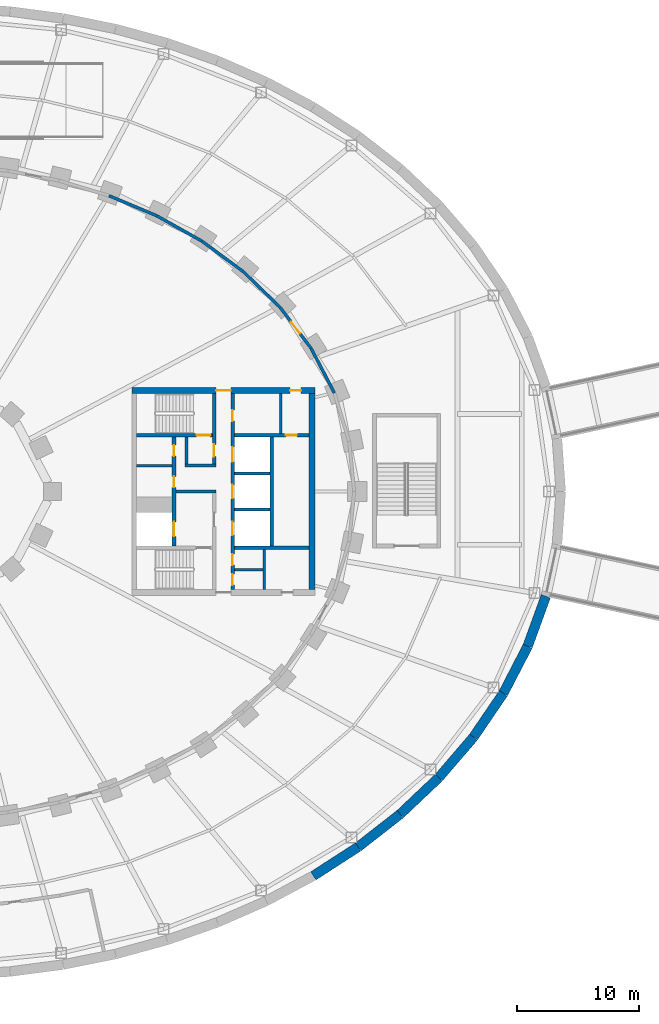
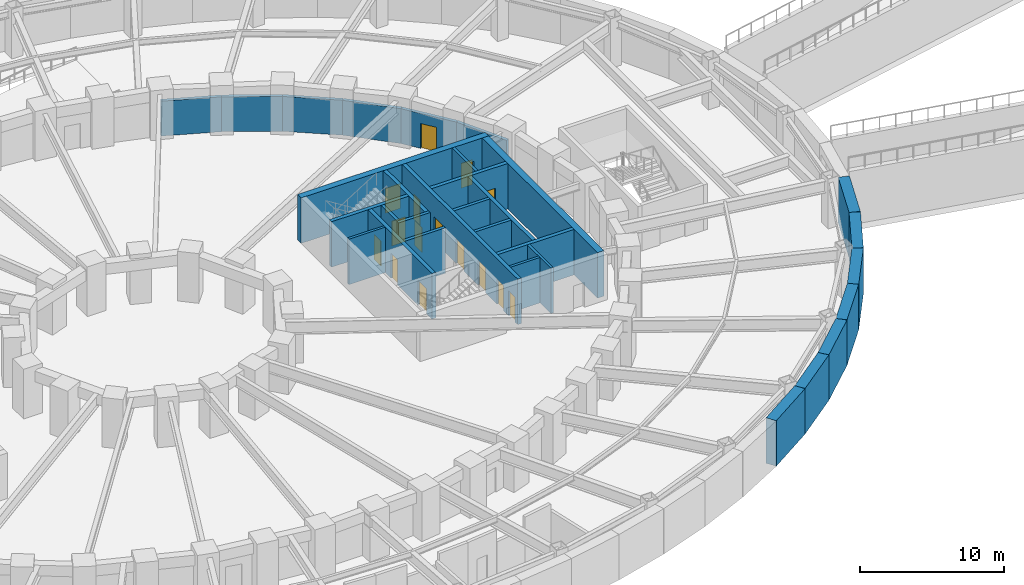
# One storey, part 20 of 32: 31 walls, 15 doors, 15 openings.
"""IFC4 building model written with IfcOpenShell, lengths in metres."""

import ifcopenshell
import ifcopenshell.guid

model = None  # the IFC model being written
_history = None  # IfcOwnerHistory: only IFC2X3 demands one
_inside = {}  # id of a spatial element -> (the spatial element, [elements in it])
_under = {}  # id of a project, library or spatial element -> (it, [spatial elements below it])
_declared = {}  # id of a project -> (the project, [libraries it declares])
_typed = {}  # id of a type object -> (the type object, [elements of that type])
_made_of = {}  # id of a material, layer set ... -> (it, [elements and type objects made of it])


def new_model(schema):
    """Start an empty IFC model of exactly this schema.

    Asked for "IFC4X3", IfcOpenShell would pick the latest addendum, in which some entities
    have other attributes; the version numbers below select the first issue.
    IFC2X3 requires an IfcOwnerHistory on every rooted entity: one is made here for all.
    """
    global model, _history
    if schema == "IFC4X3":
        model = ifcopenshell.file(schema_version=(4, 3, 0, 0))
    else:
        model = ifcopenshell.file(schema=schema)
    _inside.clear()
    _under.clear()
    _declared.clear()
    _typed.clear()
    _made_of.clear()
    _history = None
    if model.schema == "IFC2X3":
        org = make("IfcOrganization", Name="unknown")
        user = make(
            "IfcPersonAndOrganization",
            ThePerson=make("IfcPerson", FamilyName="unknown"),
            TheOrganization=org,
        )
        app = make(
            "IfcApplication",
            ApplicationDeveloper=org,
            Version="unknown",
            ApplicationFullName="unknown",
            ApplicationIdentifier="unknown",
        )
        _history = make(
            "IfcOwnerHistory",
            OwningUser=user,
            OwningApplication=app,
            ChangeAction="ADDED",
            CreationDate=0,
        )
    return model


def make(cls, **values):
    """One entity of the class cls with the attributes given. An attribute that is None is left unset."""
    return model.create_entity(
        cls, **{name: value for name, value in values.items() if value is not None}
    )


def rooted(cls, **values):
    """An entity with a GlobalId (a new one), such as an element, a storey or a relation."""
    return make(cls, GlobalId=ifcopenshell.guid.new(), OwnerHistory=_history, **values)


def si_unit(unit_type, name, prefix=None):
    """IfcSIUnit, for example si_unit("LENGTHUNIT", "METRE", prefix="MILLI")."""
    return make("IfcSIUnit", UnitType=unit_type, Prefix=prefix, Name=name)


def assignment(units):
    """IfcUnitAssignment: the units of a project."""
    return None if units is None else make("IfcUnitAssignment", Units=units)


def point(xyz):
    """IfcCartesianPoint."""
    return None if xyz is None else make("IfcCartesianPoint", Coordinates=xyz)


def direction(xyz):
    """IfcDirection."""
    return None if xyz is None else make("IfcDirection", DirectionRatios=xyz)


def frame(location, z_axis=None, x_axis=None):
    """IfcAxis2Placement3D, a coordinate frame: its origin and axes. An axis left out is left unset."""
    return make(
        "IfcAxis2Placement3D",
        Location=point(location),
        Axis=direction(z_axis),
        RefDirection=direction(x_axis),
    )


def frame_2d(location, x_axis=None):
    """IfcAxis2Placement2D, a coordinate frame in the plane: its origin and x axis."""
    return make(
        "IfcAxis2Placement2D", Location=point(location), RefDirection=direction(x_axis)
    )


def origin():
    """The frame at (0, 0, 0) with its axes left unset."""
    return frame((0.0, 0.0, 0.0))


def place(relative_to, where):
    """IfcLocalPlacement: puts the frame where relative to a parent placement (None: the world)."""
    return make(
        "IfcLocalPlacement", PlacementRelTo=relative_to, RelativePlacement=where
    )


def context(
    kind, dimensions, precision=None, world=None, true_north=None, identifier=None
):
    """IfcGeometricRepresentationContext, for example the 3D "Model" context."""
    return make(
        "IfcGeometricRepresentationContext",
        ContextIdentifier=identifier,
        ContextType=kind,
        CoordinateSpaceDimension=dimensions,
        Precision=precision,
        WorldCoordinateSystem=world,
        TrueNorth=true_north,
    )


def subcontext(parent, identifier, kind, view, scale=None):
    """IfcGeometricRepresentationSubContext, for example "Body" below "Model"."""
    return make(
        "IfcGeometricRepresentationSubContext",
        ContextIdentifier=identifier,
        ContextType=kind,
        ParentContext=parent,
        TargetScale=scale,
        TargetView=view,
    )


def project(units=None, contexts=None):
    """IfcProject with its units and contexts."""
    return rooted(
        "IfcProject",
        Name="project",
        RepresentationContexts=contexts,
        UnitsInContext=assignment(units),
    )


def spatial(cls, under=None, at=None, **own):
    """A site, building, storey or space (cls), placed at a placement, below another one or the project."""
    s = rooted(cls, ObjectPlacement=at, **own)
    if under is not None:
        _under.setdefault(under.id(), (under, []))[1].append(s)
    return s


def profile(cls, at=None, kind="AREA", **sizes):
    """A parametric profile (cls). Its sizes go by their IFC names, for example OverallWidth=200.0."""
    return make(cls, ProfileType=kind, Position=at, **sizes)


def rectangle(**sizes):
    """IfcRectangleProfileDef."""
    return profile("IfcRectangleProfileDef", **sizes)


def extrude(swept, where, along, depth):
    """IfcExtrudedAreaSolid: the profile swept, set in the frame where, extruded along a direction by depth."""
    return make(
        "IfcExtrudedAreaSolid",
        SweptArea=swept,
        Position=where,
        ExtrudedDirection=direction(along),
        Depth=depth,
    )


def shape(context_of_items, identifier, shape_type, items):
    """IfcShapeRepresentation: the items that make up one representation, for example the "Body"."""
    return make(
        "IfcShapeRepresentation",
        ContextOfItems=context_of_items,
        RepresentationIdentifier=identifier,
        RepresentationType=shape_type,
        Items=items,
    )


def material(Name=None, Category=None):
    """IfcMaterial."""
    return make("IfcMaterial", Name=Name, Category=Category)


def layer(
    of_material, thickness, ventilated=None, Name=None, Category=None, Priority=None
):
    """IfcMaterialLayer: one layer of a wall or slab, of a material (None: an air gap)."""
    return make(
        "IfcMaterialLayer",
        Material=of_material,
        LayerThickness=thickness,
        IsVentilated=ventilated,
        Name=Name,
        Category=Category,
        Priority=Priority,
    )


def layer_set(layers, Name=None):
    """IfcMaterialLayerSet."""
    return make("IfcMaterialLayerSet", MaterialLayers=layers, LayerSetName=Name)


def made_of(thing, what):
    """Note that an element or type object is made of a material, layer set ...; save() writes the relation."""
    if what is not None:
        _made_of.setdefault(what.id(), (what, []))[1].append(thing)
    return thing


def type_object(cls, material=None, **own):
    """A type object (cls), such as IfcWallType, which elements share."""
    return made_of(rooted(cls, **own), material)


def element(
    cls,
    number,
    at=None,
    inside=None,
    cuts=None,
    type_object=None,
    material=None,
    context=None,
    identifier="Body",
    shape_type=None,
    held_by="IfcProductDefinitionShape",
    body=None,
    shapes=None,
    **own,
):
    """One element of the class cls, such as IfcWall. Its Tag is "e" and its number.

    at: its placement. inside: the storey or other place that contains it. cuts: it is an
    opening in that element (IfcRelVoidsElement). A single representation is given by context,
    identifier, shape_type and body (its items); several are given by shapes. held_by: the class
    of the entity that holds the representations. save() writes the other relations.
    """
    e = rooted(cls, Tag="e%d" % number, ObjectPlacement=at, **own)
    if body is not None:
        shapes = [shape(context, identifier, shape_type, body)]
    if shapes is not None:
        e.Representation = make(held_by, Representations=shapes)
    if inside is not None:
        _inside.setdefault(inside.id(), (inside, []))[1].append(e)
    if cuts is not None:
        rooted(
            "IfcRelVoidsElement", RelatingBuildingElement=cuts, RelatedOpeningElement=e
        )
    if type_object is not None:
        _typed.setdefault(type_object.id(), (type_object, []))[1].append(e)
    return made_of(e, material)


def fill(opening, filler):
    """IfcRelFillsElement: the door or window that sits in an opening."""
    return rooted(
        "IfcRelFillsElement",
        RelatingOpeningElement=opening,
        RelatedBuildingElement=filler,
    )


def aggregate(whole, parts):
    """IfcRelAggregates: a whole, such as a stair, and the parts it consists of."""
    return rooted("IfcRelAggregates", RelatingObject=whole, RelatedObjects=parts)


def save(model, path):
    """Write the relations noted so far, then the file.

    IfcRelAggregates (storeys below a building ...), IfcRelContainedInSpatialStructure (elements
    in a storey), IfcRelDefinesByType, IfcRelAssociatesMaterial and IfcRelDeclares: one each for
    every whole, place, type object, material and project.
    """
    for whole, parts in _under.values():
        aggregate(whole, parts)
    for where, things in _inside.values():
        rooted(
            "IfcRelContainedInSpatialStructure",
            RelatedElements=things,
            RelatingStructure=where,
        )
    for kind, things in _typed.values():
        rooted("IfcRelDefinesByType", RelatedObjects=things, RelatingType=kind)
    for what, things in _made_of.values():
        rooted("IfcRelAssociatesMaterial", RelatedObjects=things, RelatingMaterial=what)
    for by, libraries in _declared.values():
        rooted("IfcRelDeclares", RelatingContext=by, RelatedDefinitions=libraries)
    model.write(path)


model = new_model("IFC4")

# Units and contexts
model_context = context("Model", 3, precision=1e-05, world=origin(), true_north=direction((0.0, 1.0)))
body_context = subcontext(model_context, "Body", "Model", "MODEL_VIEW")
ifc_project = project(units=[si_unit("LENGTHUNIT", "METRE"), si_unit("AREAUNIT", "SQUARE_METRE"), si_unit("VOLUMEUNIT", "CUBIC_METRE"), si_unit("PLANEANGLEUNIT", "RADIAN"), si_unit("MASSUNIT", "GRAM", prefix="KILO")], contexts=[model_context])

# Site, building, storey
site_placement = place(None, origin())
site = spatial("IfcSite", under=ifc_project, at=site_placement, CompositionType="ELEMENT")
building_placement = place(site_placement, origin())
building = spatial("IfcBuilding", under=site, at=building_placement, Name="Noorbagh Ring Tower", CompositionType="ELEMENT")
storey_placement = place(building_placement, frame((0.0, 0.0, -4.199951171875)))
storey = spatial("IfcBuildingStorey", under=building, at=storey_placement, Name="B1", CompositionType="ELEMENT", Elevation=-4.199951171875)

# Walls
ifc_material_1 = material(Name="Gypsum board on steel studs", Category="steel")
ifc_layer_1 = layer(ifc_material_1, 0.199951171875)
ifc_layer_set_1 = layer_set([ifc_layer_1], Name="Gypsum board on steel studs")
wall_type_1 = type_object("IfcWallType", Name="CORE-PARTITION-200", PredefinedType="PARTITIONING", material=ifc_layer_set_1)
wall_1_placement = place(storey_placement, frame((16.89990234375, 2.125, 0.0), z_axis=(0.0, 0.0, 1.0), x_axis=(1.0, 0.0, 0.0)))
element("IfcWall", 1, at=wall_1_placement, inside=storey, type_object=wall_type_1, Name="Core partition E", PredefinedType="PARTITIONING", context=body_context, shape_type="SweptSolid", body=[
    extrude(rectangle(XDim=2.900146484375, YDim=0.199951171875, at=frame_2d((1.4501953125, 0.0))), origin(), (0.0, 0.0, 1.0), 3.849853515625),
])
for number, where, z_axis, x_axis, name in (
    (2, (28.699951171875, 4.75, 0.0), (0.0, 0.0, 1.0), (0.0, 1.0, 0.0), "Core partition E"),
    (3, (27.35009765625, -8.0, 0.0), (0.0, 0.0, 1.0), (0.0, 1.0, 0.0), "Core partition E"),
):
    element("IfcWall", number, at=place(storey_placement, frame(where, z_axis=z_axis, x_axis=x_axis)), inside=storey, type_object=wall_type_1, Name=name, PredefinedType="PARTITIONING", context=body_context, shape_type="SweptSolid", body=[
        extrude(rectangle(XDim=3.25, YDim=0.199951171875, at=frame_2d((1.625, 0.0))), origin(), (0.0, 0.0, 1.0), 3.849853515625),
    ])
wall_2_placement = place(storey_placement, frame((24.89990234375, -6.39990234375, 0.0), z_axis=(0.0, 0.0, 1.0), x_axis=(1.0, 0.0, 0.0)))
element("IfcWall", 4, at=wall_2_placement, inside=storey, type_object=wall_type_1, Name="Core partition E", PredefinedType="PARTITIONING", context=body_context, shape_type="SweptSolid", body=[
    extrude(rectangle(XDim=2.35009765625, YDim=0.199951171875, at=frame_2d((1.175048828125, 0.0))), origin(), (0.0, 0.0, 1.0), 3.849853515625),
])
ifc_material_2 = material(Name="Concrete C70/85", Category="concrete")
ifc_layer_2 = layer(ifc_material_2, 0.25)
ifc_layer_set_2 = layer_set([ifc_layer_2], Name="Concrete C70/85")
wall_type_2 = type_object("IfcWallType", Name="CORE-WALL-250-C70-85-EI120", PredefinedType="SHEAR", material=ifc_layer_set_2)
for number, where, z_axis, x_axis, name in (
    (5, (24.89990234375, -1.47509765625, 0.0), (0.0, 0.0, 1.0), (1.0, 0.0, 0.0), "Core wall E"),
    (6, (24.89990234375, 1.47509765625, 0.0), (0.0, 0.0, 1.0), (1.0, 0.0, 0.0), "Core wall E"),
):
    element("IfcWall", number, at=place(storey_placement, frame(where, z_axis=z_axis, x_axis=x_axis)), inside=storey, type_object=wall_type_2, Name=name, PredefinedType="SHEAR", context=body_context, shape_type="SweptSolid", body=[
        extrude(rectangle(XDim=2.900146484375, YDim=0.25, at=frame_2d((1.4501953125, 0.0))), origin(), (0.0, 0.0, 1.0), 3.849853515625),
    ])
ifc_material_3 = material(Name="Concrete C70/85", Category="concrete")
ifc_layer_3 = layer(ifc_material_3, 0.25)
ifc_layer_set_3 = layer_set([ifc_layer_3], Name="Concrete C70/85")
wall_type_3 = type_object("IfcWallType", Name="CORE-WALL-250-C70-85-EI240", PredefinedType="SHEAR", material=ifc_layer_set_3)
wall_3_placement = place(storey_placement, frame((20.10009765625, 0.0, 0.0), z_axis=(0.0, 0.0, 1.0), x_axis=(1.0, 0.0, 0.0)))
element("IfcWall", 7, at=wall_3_placement, inside=storey, type_object=wall_type_3, Name="Core wall E", PredefinedType="SHEAR", context=body_context, shape_type="SweptSolid", body=[
    extrude(rectangle(XDim=3.27978515625, YDim=0.25, at=frame_2d((1.639892578125, 0.0))), origin(), (0.0, 0.0, 1.0), 3.849853515625),
])
wall_4_placement = place(storey_placement, frame((20.85009765625, 2.125, 0.0), z_axis=(0.0, 0.0, 1.0), x_axis=(1.0, 0.0, 0.0)))
element("IfcWall", 8, at=wall_4_placement, inside=storey, type_object=wall_type_3, Name="Core wall E", PredefinedType="SHEAR", context=body_context, shape_type="SweptSolid", body=[
    extrude(rectangle(XDim=2.52978515625, YDim=0.25, at=frame_2d((1.264892578125, 0.0))), origin(), (0.0, 0.0, 1.0), 3.849853515625),
])
wall_5_placement = place(storey_placement, frame((20.97509765625, 2.25, 0.0), z_axis=(0.0, 0.0, 1.0), x_axis=(0.0, 1.0, 0.0)))
element("IfcWall", 9, at=wall_5_placement, inside=storey, type_object=wall_type_3, Name="Core wall E", PredefinedType="SHEAR", context=body_context, shape_type="SweptSolid", body=[
    extrude(rectangle(XDim=2.199951171875, YDim=0.25, at=frame_2d((1.10009765625, 0.0))), origin(), (0.0, 0.0, 1.0), 3.849853515625),
])
ifc_material_4 = material(Name="Concrete C70/85", Category="concrete")
ifc_layer_4 = layer(ifc_material_4, 0.300048828125)
ifc_layer_set_4 = layer_set([ifc_layer_4], Name="Concrete C70/85")
wall_type_4 = type_object("IfcWallType", Name="CORE-WALL-300-C70-85-EI120", PredefinedType="SHEAR", material=ifc_layer_set_4)
wall_6_placement = place(storey_placement, frame((27.949951171875, -4.449951171875, 0.0), z_axis=(0.0, 0.0, 1.0), x_axis=(0.0, 1.0, 0.0)))
element("IfcWall", 10, at=wall_6_placement, inside=storey, type_object=wall_type_4, Name="Core wall E", PredefinedType="SHEAR", context=body_context, shape_type="SweptSolid", body=[
    extrude(rectangle(XDim=8.89990234375, YDim=0.300048828125, at=frame_2d((4.449951171875, 0.0))), origin(), (0.0, 0.0, 1.0), 3.849853515625),
])

# Wall, openings, doors
wall_7_placement = place(storey_placement, frame((19.949951171875, -4.449951171875, 0.0), z_axis=(0.0, 0.0, 1.0), x_axis=(0.0, 1.0, 0.0)))
wall_7 = element("IfcWall", 11, at=wall_7_placement, inside=storey, type_object=wall_type_4, Name="Core wall E", PredefinedType="SHEAR", context=body_context, shape_type="SweptSolid", body=[
    extrude(rectangle(XDim=8.89990234375, YDim=0.300048828125, at=frame_2d((4.449951171875, 0.0))), origin(), (0.0, 0.0, 1.0), 3.849853515625),
])
opening_1_placement = place(wall_7_placement, frame((0.77490234375, 0.0, 0.0)))
opening_1 = element("IfcOpeningElement", 12, at=opening_1_placement, cuts=wall_7, Name="Opening B1-CE01", PredefinedType="OPENING", context=body_context, shape_type="SweptSolid", body=[
    extrude(rectangle(XDim=1.199951171875, YDim=2.10009765625, at=frame_2d((0.60009765625, 1.050048828125))), frame((0.0, 0.16015625, 0.0), z_axis=(0.0, -1.0, 0.0), x_axis=(1.0, 0.0, 0.0)), (0.0, 0.0, 1.0), 0.320068359375),
])
opening_2_placement = place(wall_7_placement, frame((4.78759765625, 0.0, 0.0)))
opening_2 = element("IfcOpeningElement", 13, at=opening_2_placement, cuts=wall_7, Name="Opening B1-CE11", PredefinedType="OPENING", context=body_context, shape_type="SweptSolid", body=[
    extrude(rectangle(XDim=0.89990234375, YDim=2.10009765625, at=frame_2d((0.449951171875, 1.050048828125))), frame((0.0, 0.16015625, 0.0), z_axis=(0.0, -1.0, 0.0), x_axis=(1.0, 0.0, 0.0)), (0.0, 0.0, 1.0), 0.320068359375),
])
opening_3_placement = place(wall_7_placement, frame((7.33740234375, 0.0, 0.0)))
opening_3 = element("IfcOpeningElement", 14, at=opening_3_placement, cuts=wall_7, Name="Opening B1-CE12", PredefinedType="OPENING", context=body_context, shape_type="SweptSolid", body=[
    extrude(rectangle(XDim=0.89990234375, YDim=2.10009765625, at=frame_2d((0.449951171875, 1.050048828125))), frame((0.0, 0.16015625, 0.0), z_axis=(0.0, -1.0, 0.0), x_axis=(1.0, 0.0, 0.0)), (0.0, 0.0, 1.0), 0.320068359375),
])
ifc_material_5 = material(Name="Steel door leaf", Category="steel")
door_type_1 = type_object("IfcDoorType", Name="CORE-DOOR-DROOM", OperationType="SINGLE_SWING_LEFT", PredefinedType="DOOR", material=ifc_material_5)
door_1_placement = place(opening_2_placement, origin())
door_1 = element("IfcDoor", 15, at=door_1_placement, inside=storey, type_object=door_type_1, Name="Core room door B1-CE11", OperationType="SINGLE_SWING_RIGHT", OverallHeight=2.10009765625, OverallWidth=0.89990234375, PredefinedType="DOOR", context=body_context, shape_type="SweptSolid", body=[
    extrude(rectangle(XDim=0.89990234375, YDim=2.10009765625, at=frame_2d((0.449951171875, 1.050048828125))), frame((0.0, 0.02490234375, 0.0), z_axis=(0.0, -1.0, 0.0), x_axis=(1.0, 0.0, 0.0)), (0.0, 0.0, 1.0), 0.050048828125),
])
fill(opening_2, door_1)
door_2_placement = place(opening_3_placement, origin())
door_2 = element("IfcDoor", 16, at=door_2_placement, inside=storey, type_object=door_type_1, Name="Core room door B1-CE12", OperationType="SINGLE_SWING_RIGHT", OverallHeight=2.10009765625, OverallWidth=0.89990234375, PredefinedType="DOOR", context=body_context, shape_type="SweptSolid", body=[
    extrude(rectangle(XDim=0.89990234375, YDim=2.10009765625, at=frame_2d((0.449951171875, 1.050048828125))), frame((0.0, 0.02490234375, 0.0), z_axis=(0.0, -1.0, 0.0), x_axis=(1.0, 0.0, 0.0)), (0.0, 0.0, 1.0), 0.050048828125),
])
fill(opening_3, door_2)
ifc_material_6 = material(Name="Steel door leaf", Category="steel")
door_type_2 = type_object("IfcDoorType", Name="CORE-DOOR-LDW", OperationType="DOUBLE_DOOR_SLIDING", PredefinedType="DOOR", material=ifc_material_6)
door_3_placement = place(opening_1_placement, origin())
door_3 = element("IfcDoor", 17, at=door_3_placement, inside=storey, type_object=door_type_2, Name="Landing door FF2 B1-CE01", OperationType="DOUBLE_DOOR_SLIDING", OverallHeight=2.10009765625, OverallWidth=1.199951171875, PredefinedType="DOOR", context=body_context, shape_type="SweptSolid", body=[
    extrude(rectangle(XDim=1.199951171875, YDim=2.10009765625, at=frame_2d((0.60009765625, 1.050048828125))), frame((0.0, 0.02490234375, 0.0), z_axis=(0.0, -1.0, 0.0), x_axis=(1.0, 0.0, 0.0)), (0.0, 0.0, 1.0), 0.050048828125),
])
fill(opening_1, door_3)

wall_8_placement = place(storey_placement, frame((24.75, -8.0, 0.0), z_axis=(0.0, 0.0, 1.0), x_axis=(0.0, 1.0, 0.0)))
wall_8 = element("IfcWall", 18, at=wall_8_placement, inside=storey, type_object=wall_type_4, Name="Core wall E", PredefinedType="SHEAR", context=body_context, shape_type="SweptSolid", body=[
    extrude(rectangle(XDim=16.0, YDim=0.300048828125, at=frame_2d((8.0, 0.0))), origin(), (0.0, 0.0, 1.0), 3.849853515625),
])
opening_4_placement = place(wall_8_placement, frame((4.425048828125, 0.0, 0.0)))
opening_4 = element("IfcOpeningElement", 19, at=opening_4_placement, cuts=wall_8, Name="Opening B1-CE02", PredefinedType="OPENING", context=body_context, shape_type="SweptSolid", body=[
    extrude(rectangle(XDim=1.10009765625, YDim=2.10009765625, at=frame_2d((0.550048828125, 1.050048828125))), frame((0.0, 0.16015625, 0.0), z_axis=(0.0, -1.0, 0.0), x_axis=(1.0, 0.0, 0.0)), (0.0, 0.0, 1.0), 0.320068359375),
])
opening_5_placement = place(wall_8_placement, frame((7.449951171875, 0.0, 0.0)))
opening_5 = element("IfcOpeningElement", 20, at=opening_5_placement, cuts=wall_8, Name="Opening B1-CE03", PredefinedType="OPENING", context=body_context, shape_type="SweptSolid", body=[
    extrude(rectangle(XDim=1.10009765625, YDim=2.10009765625, at=frame_2d((0.550048828125, 1.050048828125))), frame((0.0, 0.16015625, 0.0), z_axis=(0.0, -1.0, 0.0), x_axis=(1.0, 0.0, 0.0)), (0.0, 0.0, 1.0), 0.320068359375),
])
opening_6_placement = place(wall_8_placement, frame((10.425048828125, 0.0, 0.0)))
opening_6 = element("IfcOpeningElement", 21, at=opening_6_placement, cuts=wall_8, Name="Opening B1-CE04", PredefinedType="OPENING", context=body_context, shape_type="SweptSolid", body=[
    extrude(rectangle(XDim=1.199951171875, YDim=2.10009765625, at=frame_2d((0.60009765625, 1.050048828125))), frame((0.0, 0.16015625, 0.0), z_axis=(0.0, -1.0, 0.0), x_axis=(1.0, 0.0, 0.0)), (0.0, 0.0, 1.0), 0.320068359375),
])
opening_7_placement = place(wall_8_placement, frame((13.75, 0.0, 0.0)))
opening_7 = element("IfcOpeningElement", 22, at=opening_7_placement, cuts=wall_8, Name="Opening B1-CE13", PredefinedType="OPENING", context=body_context, shape_type="SweptSolid", body=[
    extrude(rectangle(XDim=0.89990234375, YDim=2.10009765625, at=frame_2d((0.449951171875, 1.050048828125))), frame((0.0, 0.16015625, 0.0), z_axis=(0.0, -1.0, 0.0), x_axis=(1.0, 0.0, 0.0)), (0.0, 0.0, 1.0), 0.320068359375),
])
opening_8_placement = place(wall_8_placement, frame((1.97509765625, 0.0, 0.0)))
opening_8 = element("IfcOpeningElement", 23, at=opening_8_placement, cuts=wall_8, Name="Opening B1-CE15", PredefinedType="OPENING", context=body_context, shape_type="SweptSolid", body=[
    extrude(rectangle(XDim=0.89990234375, YDim=2.10009765625, at=frame_2d((0.449951171875, 1.050048828125))), frame((0.0, 0.16015625, 0.0), z_axis=(0.0, -1.0, 0.0), x_axis=(1.0, 0.0, 0.0)), (0.0, 0.0, 1.0), 0.320068359375),
])
opening_9_placement = place(wall_8_placement, frame((0.35009765625, 0.0, 0.0)))
opening_9 = element("IfcOpeningElement", 24, at=opening_9_placement, cuts=wall_8, Name="Opening B1-CE16", PredefinedType="OPENING", context=body_context, shape_type="SweptSolid", body=[
    extrude(rectangle(XDim=0.89990234375, YDim=2.10009765625, at=frame_2d((0.449951171875, 1.050048828125))), frame((0.0, 0.16015625, 0.0), z_axis=(0.0, -1.0, 0.0), x_axis=(1.0, 0.0, 0.0)), (0.0, 0.0, 1.0), 0.320068359375),
])
door_4_placement = place(opening_7_placement, origin())
door_4 = element("IfcDoor", 25, at=door_4_placement, inside=storey, type_object=door_type_1, Name="Core room door B1-CE13", OperationType="SINGLE_SWING_LEFT", OverallHeight=2.10009765625, OverallWidth=0.89990234375, PredefinedType="DOOR", context=body_context, shape_type="SweptSolid", body=[
    extrude(rectangle(XDim=0.89990234375, YDim=2.10009765625, at=frame_2d((0.449951171875, 1.050048828125))), frame((0.0, 0.02490234375, 0.0), z_axis=(0.0, -1.0, 0.0), x_axis=(1.0, 0.0, 0.0)), (0.0, 0.0, 1.0), 0.050048828125),
])
fill(opening_7, door_4)
door_5_placement = place(opening_8_placement, origin())
door_5 = element("IfcDoor", 26, at=door_5_placement, inside=storey, type_object=door_type_1, Name="Core room door B1-CE15", OperationType="SINGLE_SWING_LEFT", OverallHeight=2.10009765625, OverallWidth=0.89990234375, PredefinedType="DOOR", context=body_context, shape_type="SweptSolid", body=[
    extrude(rectangle(XDim=0.89990234375, YDim=2.10009765625, at=frame_2d((0.449951171875, 1.050048828125))), frame((0.0, 0.02490234375, 0.0), z_axis=(0.0, -1.0, 0.0), x_axis=(1.0, 0.0, 0.0)), (0.0, 0.0, 1.0), 0.050048828125),
])
fill(opening_8, door_5)
door_6_placement = place(opening_9_placement, origin())
door_6 = element("IfcDoor", 27, at=door_6_placement, inside=storey, type_object=door_type_1, Name="Core room door B1-CE16", OperationType="SINGLE_SWING_RIGHT", OverallHeight=2.10009765625, OverallWidth=0.89990234375, PredefinedType="DOOR", context=body_context, shape_type="SweptSolid", body=[
    extrude(rectangle(XDim=0.89990234375, YDim=2.10009765625, at=frame_2d((0.449951171875, 1.050048828125))), frame((0.0, 0.02490234375, 0.0), z_axis=(0.0, -1.0, 0.0), x_axis=(1.0, 0.0, 0.0)), (0.0, 0.0, 1.0), 0.050048828125),
])
fill(opening_9, door_6)
ifc_material_7 = material(Name="Steel door leaf", Category="steel")
door_type_3 = type_object("IfcDoorType", Name="CORE-DOOR-LD", OperationType="DOUBLE_DOOR_SLIDING", PredefinedType="DOOR", material=ifc_material_7)
door_7_placement = place(opening_4_placement, origin())
door_7 = element("IfcDoor", 28, at=door_7_placement, inside=storey, type_object=door_type_3, Name="Landing door LR3 B1-CE02", OperationType="DOUBLE_DOOR_SLIDING", OverallHeight=2.10009765625, OverallWidth=1.10009765625, PredefinedType="DOOR", context=body_context, shape_type="SweptSolid", body=[
    extrude(rectangle(XDim=1.10009765625, YDim=2.10009765625, at=frame_2d((0.550048828125, 1.050048828125))), frame((0.0, 0.02490234375, 0.0), z_axis=(0.0, -1.0, 0.0), x_axis=(1.0, 0.0, 0.0)), (0.0, 0.0, 1.0), 0.050048828125),
])
fill(opening_4, door_7)
door_8_placement = place(opening_5_placement, origin())
door_8 = element("IfcDoor", 29, at=door_8_placement, inside=storey, type_object=door_type_3, Name="Landing door LR4 B1-CE03", OperationType="DOUBLE_DOOR_SLIDING", OverallHeight=2.10009765625, OverallWidth=1.10009765625, PredefinedType="DOOR", context=body_context, shape_type="SweptSolid", body=[
    extrude(rectangle(XDim=1.10009765625, YDim=2.10009765625, at=frame_2d((0.550048828125, 1.050048828125))), frame((0.0, 0.02490234375, 0.0), z_axis=(0.0, -1.0, 0.0), x_axis=(1.0, 0.0, 0.0)), (0.0, 0.0, 1.0), 0.050048828125),
])
fill(opening_5, door_8)
door_9_placement = place(opening_6_placement, origin())
door_9 = element("IfcDoor", 30, at=door_9_placement, inside=storey, type_object=door_type_2, Name="Landing door SV2 B1-CE04", OperationType="DOUBLE_DOOR_SLIDING", OverallHeight=2.10009765625, OverallWidth=1.199951171875, PredefinedType="DOOR", context=body_context, shape_type="SweptSolid", body=[
    extrude(rectangle(XDim=1.199951171875, YDim=2.10009765625, at=frame_2d((0.60009765625, 1.050048828125))), frame((0.0, 0.02490234375, 0.0), z_axis=(0.0, -1.0, 0.0), x_axis=(1.0, 0.0, 0.0)), (0.0, 0.0, 1.0), 0.050048828125),
])
fill(opening_6, door_9)

# Wall, opening, door
ifc_material_8 = material(Name="Concrete C70/85", Category="concrete")
ifc_layer_5 = layer(ifc_material_8, 0.300048828125)
ifc_layer_set_5 = layer_set([ifc_layer_5], Name="Concrete C70/85")
wall_type_5 = type_object("IfcWallType", Name="CORE-WALL-300-C70-85-EI240", PredefinedType="SHEAR", material=ifc_layer_set_5)
wall_9_placement = place(storey_placement, frame((24.89990234375, 4.60009765625, 0.0), z_axis=(0.0, 0.0, 1.0), x_axis=(1.0, 0.0, 0.0)))
wall_9 = element("IfcWall", 31, at=wall_9_placement, inside=storey, type_object=wall_type_5, Name="Core wall E", PredefinedType="SHEAR", context=body_context, shape_type="SweptSolid", body=[
    extrude(rectangle(XDim=6.10009765625, YDim=0.300048828125, at=frame_2d((3.050048828125, 0.0))), origin(), (0.0, 0.0, 1.0), 3.849853515625),
])
opening_10_placement = place(wall_9_placement, frame((4.199951171875, 0.0, 0.0)))
opening_10 = element("IfcOpeningElement", 32, at=opening_10_placement, cuts=wall_9, Name="Opening B1-CE18", PredefinedType="OPENING", context=body_context, shape_type="SweptSolid", body=[
    extrude(rectangle(XDim=0.89990234375, YDim=2.10009765625, at=frame_2d((0.449951171875, 1.050048828125))), frame((0.0, 0.16015625, 0.0), z_axis=(0.0, -1.0, 0.0), x_axis=(1.0, 0.0, 0.0)), (0.0, 0.0, 1.0), 0.320068359375),
])
door_10_placement = place(opening_10_placement, origin())
door_10 = element("IfcDoor", 33, at=door_10_placement, inside=storey, type_object=door_type_1, Name="Core room door B1-CE18", OperationType="SINGLE_SWING_RIGHT", OverallHeight=2.10009765625, OverallWidth=0.89990234375, PredefinedType="DOOR", context=body_context, shape_type="SweptSolid", body=[
    extrude(rectangle(XDim=0.89990234375, YDim=2.10009765625, at=frame_2d((0.449951171875, 1.050048828125))), frame((0.0, 0.02490234375, 0.0), z_axis=(0.0, -1.0, 0.0), x_axis=(1.0, 0.0, 0.0)), (0.0, 0.0, 1.0), 0.050048828125),
])
fill(opening_10, door_10)

# Wall
wall_10_placement = place(storey_placement, frame((24.89990234375, -4.60009765625, 0.0), z_axis=(0.0, 0.0, 1.0), x_axis=(1.0, 0.0, 0.0)))
element("IfcWall", 34, at=wall_10_placement, inside=storey, type_object=wall_type_5, Name="Core wall E", PredefinedType="SHEAR", context=body_context, shape_type="SweptSolid", body=[
    extrude(rectangle(XDim=6.10009765625, YDim=0.300048828125, at=frame_2d((3.050048828125, 0.0))), origin(), (0.0, 0.0, 1.0), 3.849853515625),
])

# Wall, opening, door
wall_11_placement = place(storey_placement, frame((23.22998046875, 2.25, 0.0), z_axis=(0.0, 0.0, 1.0), x_axis=(0.0, 1.0, 0.0)))
wall_11 = element("IfcWall", 35, at=wall_11_placement, inside=storey, type_object=wall_type_5, Name="Core wall E", PredefinedType="SHEAR", context=body_context, shape_type="SweptSolid", body=[
    extrude(rectangle(XDim=5.75, YDim=0.300048828125, at=frame_2d((2.875, 0.0))), origin(), (0.0, 0.0, 1.0), 3.849853515625),
])
opening_11_placement = place(wall_11_placement, frame((0.60009765625, 0.0, 0.0)))
opening_11 = element("IfcOpeningElement", 36, at=opening_11_placement, cuts=wall_11, Name="Opening B1-CE08", PredefinedType="OPENING", context=body_context, shape_type="SweptSolid", body=[
    extrude(rectangle(XDim=1.0, YDim=2.10009765625, at=frame_2d((0.5, 1.050048828125))), frame((0.0, 0.16015625, 0.0), z_axis=(0.0, -1.0, 0.0), x_axis=(1.0, 0.0, 0.0)), (0.0, 0.0, 1.0), 0.320068359375),
])
ifc_material_9 = material(Name="Steel door leaf", Category="steel")
door_type_4 = type_object("IfcDoorType", Name="CORE-DOOR-DVEST", OperationType="SINGLE_SWING_LEFT", PredefinedType="DOOR", material=ifc_material_9)
door_11_placement = place(opening_11_placement, origin())
door_11 = element("IfcDoor", 37, at=door_11_placement, inside=storey, type_object=door_type_4, Name="Stair vestibule door B1-CE08", OperationType="SINGLE_SWING_RIGHT", OverallHeight=2.10009765625, OverallWidth=1.0, PredefinedType="DOOR", context=body_context, shape_type="SweptSolid", body=[
    extrude(rectangle(XDim=1.0, YDim=2.10009765625, at=frame_2d((0.5, 1.050048828125))), frame((0.0, 0.02490234375, 0.0), z_axis=(0.0, -1.0, 0.0), x_axis=(1.0, 0.0, 0.0)), (0.0, 0.0, 1.0), 0.050048828125),
])
fill(opening_11, door_11)

wall_12_placement = place(storey_placement, frame((16.89990234375, 4.60009765625, 0.0), z_axis=(0.0, 0.0, 1.0), x_axis=(1.0, 0.0, 0.0)))
wall_12 = element("IfcWall", 38, at=wall_12_placement, inside=storey, type_object=wall_type_5, Name="Core wall E", PredefinedType="SHEAR", context=body_context, shape_type="SweptSolid", body=[
    extrude(rectangle(XDim=6.18017578125, YDim=0.300048828125, at=frame_2d((3.090087890625, 0.0))), origin(), (0.0, 0.0, 1.0), 3.849853515625),
])
opening_12_placement = place(wall_12_placement, frame((4.89990234375, 0.0, 0.0)))
opening_12 = element("IfcOpeningElement", 39, at=opening_12_placement, cuts=wall_12, Name="Opening B1-CE05", PredefinedType="OPENING", context=body_context, shape_type="SweptSolid", body=[
    extrude(rectangle(XDim=1.10009765625, YDim=2.10009765625, at=frame_2d((0.550048828125, 1.050048828125))), frame((0.0, 0.16015625, 0.0), z_axis=(0.0, -1.0, 0.0), x_axis=(1.0, 0.0, 0.0)), (0.0, 0.0, 1.0), 0.320068359375),
])
ifc_material_10 = material(Name="Steel door leaf", Category="steel")
door_type_5 = type_object("IfcDoorType", Name="CORE-DOOR-DSTAIR", OperationType="SINGLE_SWING_LEFT", PredefinedType="DOOR", material=ifc_material_10)
door_12_placement = place(opening_12_placement, origin())
door_12 = element("IfcDoor", 40, at=door_12_placement, inside=storey, type_object=door_type_5, Name="Stair door ST3 B1-CE05", OperationType="SINGLE_SWING_LEFT", OverallHeight=2.10009765625, OverallWidth=1.10009765625, PredefinedType="DOOR", context=body_context, shape_type="SweptSolid", body=[
    extrude(rectangle(XDim=1.10009765625, YDim=2.10009765625, at=frame_2d((0.550048828125, 1.050048828125))), frame((0.0, 0.02490234375, 0.0), z_axis=(0.0, -1.0, 0.0), x_axis=(1.0, 0.0, 0.0)), (0.0, 0.0, 1.0), 0.050048828125),
])
fill(opening_12, door_12)

# Wall, openings, doors
ifc_material_11 = material(Name="Concrete C70/85", Category="concrete")
ifc_layer_6 = layer(ifc_material_11, 0.5)
ifc_layer_set_6 = layer_set([ifc_layer_6], Name="Concrete C70/85")
wall_type_6 = type_object("IfcWallType", Name="CORE-WALL-500-C70-85-EI240", PredefinedType="SHEAR", material=ifc_layer_set_6)
wall_13_placement = place(storey_placement, frame((16.5, 8.25, 0.0), z_axis=(0.0, 0.0, 1.0), x_axis=(1.0, 0.0, 0.0)))
wall_13 = element("IfcWall", 41, at=wall_13_placement, inside=storey, type_object=wall_type_6, Name="Core wall E", PredefinedType="SHEAR", context=body_context, shape_type="SweptSolid", body=[
    extrude(rectangle(XDim=15.0, YDim=0.5, at=frame_2d((7.5, 0.0))), origin(), (0.0, 0.0, 1.0), 3.849853515625),
])
opening_13_placement = place(wall_13_placement, frame((6.89990234375, 0.0, 0.0)))
opening_13 = element("IfcOpeningElement", 42, at=opening_13_placement, cuts=wall_13, Name="Opening B1-CE09", PredefinedType="OPENING", context=body_context, shape_type="SweptSolid", body=[
    extrude(rectangle(XDim=1.199951171875, YDim=2.10009765625, at=frame_2d((0.60009765625, 1.050048828125))), frame((0.0, 0.260009765625, 0.0), z_axis=(0.0, -1.0, 0.0), x_axis=(1.0, 0.0, 0.0)), (0.0, 0.0, 1.0), 0.52001953125),
])
opening_14_placement = place(wall_13_placement, frame((12.949951171875, 0.0, 0.0)))
opening_14 = element("IfcOpeningElement", 43, at=opening_14_placement, cuts=wall_13, Name="Opening B1-CE14", PredefinedType="OPENING", context=body_context, shape_type="SweptSolid", body=[
    extrude(rectangle(XDim=0.89990234375, YDim=2.10009765625, at=frame_2d((0.449951171875, 1.050048828125))), frame((0.0, 0.260009765625, 0.0), z_axis=(0.0, -1.0, 0.0), x_axis=(1.0, 0.0, 0.0)), (0.0, 0.0, 1.0), 0.52001953125),
])
door_13_placement = place(opening_14_placement, origin())
door_13 = element("IfcDoor", 44, at=door_13_placement, inside=storey, type_object=door_type_1, Name="Core room door B1-CE14", OperationType="SINGLE_SWING_LEFT", OverallHeight=2.10009765625, OverallWidth=0.89990234375, PredefinedType="DOOR", context=body_context, shape_type="SweptSolid", body=[
    extrude(rectangle(XDim=0.89990234375, YDim=2.10009765625, at=frame_2d((0.449951171875, 1.050048828125))), frame((0.0, 0.02490234375, 0.0), z_axis=(0.0, -1.0, 0.0), x_axis=(1.0, 0.0, 0.0)), (0.0, 0.0, 1.0), 0.050048828125),
])
fill(opening_14, door_13)
ifc_material_12 = material(Name="Steel door leaf", Category="steel")
door_type_6 = type_object("IfcDoorType", Name="CORE-DOOR-PORT", OperationType="DOUBLE_DOOR_DOUBLE_SWING", PredefinedType="DOOR", material=ifc_material_12)
door_14_placement = place(opening_13_placement, origin())
door_14 = element("IfcDoor", 45, at=door_14_placement, inside=storey, type_object=door_type_6, Name="Core entrance door B1-CE09", OperationType="DOUBLE_DOOR_DOUBLE_SWING", OverallHeight=2.10009765625, OverallWidth=1.199951171875, PredefinedType="DOOR", context=body_context, shape_type="SweptSolid", body=[
    extrude(rectangle(XDim=1.199951171875, YDim=2.10009765625, at=frame_2d((0.60009765625, 1.050048828125))), frame((0.0, 0.02490234375, 0.0), z_axis=(0.0, -1.0, 0.0), x_axis=(1.0, 0.0, 0.0)), (0.0, 0.0, 1.0), 0.050048828125),
])
fill(opening_13, door_14)

# Walls
wall_14_placement = place(storey_placement, frame((31.25, -8.0, 0.0), z_axis=(0.0, 0.0, 1.0), x_axis=(0.0, 1.0, 0.0)))
element("IfcWall", 46, at=wall_14_placement, inside=storey, type_object=wall_type_6, Name="Core wall E", PredefinedType="SHEAR", context=body_context, shape_type="SweptSolid", body=[
    extrude(rectangle(XDim=16.0, YDim=0.5, at=frame_2d((8.0, 0.0))), origin(), (0.0, 0.0, 1.0), 3.849853515625),
])
ifc_material_13 = material(Name="Concrete C40/50", Category="concrete")
ifc_layer_7 = layer(ifc_material_13, 0.25)
ifc_layer_set_7 = layer_set([ifc_layer_7], Name="Concrete C40/50")
wall_type_7 = type_object("IfcWallType", Name="GND-WALL-RING", PredefinedType="SOLIDWALL", material=ifc_layer_set_7)
wall_15_placement = place(storey_placement, frame((33.068603515625, 8.062255859375, 0.0), z_axis=(0.0, 0.0, 1.0), x_axis=(-0.462265314279, 0.886741664305, 0.0)))
element("IfcWall", 47, at=wall_15_placement, inside=storey, type_object=wall_type_7, Name="Tower basement fire wall", PredefinedType="SOLIDWALL", context=body_context, shape_type="SweptSolid", body=[
    extrude(rectangle(XDim=4.134765625, YDim=0.25, at=frame_2d((2.0673828125, 0.0))), origin(), (0.0, 0.0, 1.0), 2.949951171875),
])

# Wall, opening, door
wall_16_placement = place(storey_placement, frame((31.147705078125, 11.743896484375, 0.0), z_axis=(0.0, 0.0, 1.0), x_axis=(-0.604041965907, 0.796952510143, 0.0)))
wall_16 = element("IfcWall", 48, at=wall_16_placement, inside=storey, type_object=wall_type_7, Name="Tower basement fire wall", PredefinedType="SOLIDWALL", context=body_context, shape_type="SweptSolid", body=[
    extrude(rectangle(XDim=4.157470703125, YDim=0.25, at=frame_2d((2.07861328125, 0.0))), origin(), (0.0, 0.0, 1.0), 2.949951171875),
])
opening_15_placement = place(wall_16_placement, frame((1.478759765625, 0.0, 0.0)))
opening_15 = element("IfcOpeningElement", 49, at=opening_15_placement, cuts=wall_16, Name="Opening GD4", PredefinedType="OPENING", context=body_context, shape_type="SweptSolid", body=[
    extrude(rectangle(XDim=1.199951171875, YDim=2.10009765625, at=frame_2d((0.60009765625, 1.050048828125))), frame((0.0, 0.135009765625, 0.0), z_axis=(0.0, -1.0, 0.0), x_axis=(1.0, 0.0, 0.0)), (0.0, 0.0, 1.0), 0.27001953125),
])
ifc_material_14 = material(Name="Steel", Category="steel")
door_type_7 = type_object("IfcDoorType", Name="GND-DOOR-RING", OperationType="DOUBLE_DOOR_SINGLE_SWING", PredefinedType="DOOR", material=ifc_material_14)
door_15_placement = place(opening_15_placement, origin())
door_15 = element("IfcDoor", 50, at=door_15_placement, inside=storey, type_object=door_type_7, Name="Tower basement door", OperationType="DOUBLE_DOOR_SINGLE_SWING", OverallHeight=2.10009765625, OverallWidth=1.199951171875, PredefinedType="DOOR", context=body_context, shape_type="SweptSolid", body=[
    extrude(rectangle(XDim=1.199951171875, YDim=2.10009765625, at=frame_2d((0.60009765625, 1.050048828125))), frame((0.0, 0.02490234375, 0.0), z_axis=(0.0, -1.0, 0.0), x_axis=(1.0, 0.0, 0.0)), (0.0, 0.0, 1.0), 0.050048828125),
])
fill(opening_15, door_15)

# Walls
wall_17_placement = place(storey_placement, frame((28.62451171875, 15.07080078125, 0.0), z_axis=(0.0, 0.0, 1.0), x_axis=(-0.717227656803, 0.696838925661, 0.0)))
element("IfcWall", 51, at=wall_17_placement, inside=storey, type_object=wall_type_7, Name="Tower basement fire wall", PredefinedType="SOLIDWALL", context=body_context, shape_type="SweptSolid", body=[
    extrude(rectangle(XDim=4.178955078125, YDim=0.25, at=frame_2d((2.08935546875, 0.0))), origin(), (0.0, 0.0, 1.0), 2.949951171875),
])
wall_18_placement = place(storey_placement, frame((25.613525390625, 17.994384765625, 0.0), z_axis=(0.0, 0.0, 1.0), x_axis=(-0.805155221937, 0.593064135306, 0.0)))
element("IfcWall", 52, at=wall_18_placement, inside=storey, type_object=wall_type_7, Name="Tower basement fire wall", PredefinedType="SOLIDWALL", context=body_context, shape_type="SweptSolid", body=[
    extrude(rectangle(XDim=4.197998046875, YDim=0.25, at=frame_2d((2.09912109375, 0.0))), origin(), (0.0, 0.0, 1.0), 2.949951171875),
])
wall_19_placement = place(storey_placement, frame((22.218505859375, 20.493896484375, 0.0), z_axis=(0.0, 0.0, 1.0), x_axis=(-0.872061015455, 0.489397165218, 0.0)))
element("IfcWall", 53, at=wall_19_placement, inside=storey, type_object=wall_type_7, Name="Tower basement fire wall", PredefinedType="SOLIDWALL", context=body_context, shape_type="SweptSolid", body=[
    extrude(rectangle(XDim=4.21337890625, YDim=0.25, at=frame_2d((2.106689453125, 0.0))), origin(), (0.0, 0.0, 1.0), 2.949951171875),
])
wall_20_placement = place(storey_placement, frame((18.528076171875, 22.56396484375, 0.0), z_axis=(0.0, 0.0, 1.0), x_axis=(-0.921810386469, 0.387641085798, 0.0)))
element("IfcWall", 54, at=wall_20_placement, inside=storey, type_object=wall_type_7, Name="Tower basement fire wall", PredefinedType="SOLIDWALL", context=body_context, shape_type="SweptSolid", body=[
    extrude(rectangle(XDim=4.225341796875, YDim=0.25, at=frame_2d((2.11279296875, 0.0))), origin(), (0.0, 0.0, 1.0), 2.949951171875),
])
ifc_material_15 = material(Name="Concrete C40/50", Category="concrete")
ifc_layer_8 = layer(ifc_material_15, 0.800048828125)
ifc_layer_set_8 = layer_set([ifc_layer_8], Name="Concrete C40/50")
wall_type_8 = type_object("IfcWallType", Name="STR-RETAINING-WALL", PredefinedType="SOLIDWALL", material=ifc_layer_set_8)
wall_21_placement = place(storey_placement, frame((31.3515625, -31.448486328125, 0.0), z_axis=(0.0, 0.0, 1.0), x_axis=(0.840047348843, 0.542513088969, 0.0)))
element("IfcWall", 55, at=wall_21_placement, inside=storey, type_object=wall_type_8, Name="B1/retwall/58", PredefinedType="SOLIDWALL", context=body_context, shape_type="SweptSolid", body=[
    extrude(rectangle(XDim=4.362060546875, YDim=0.800048828125, at=frame_2d((2.18115234375, 0.0))), origin(), (0.0, 0.0, 1.0), 3.849853515625),
])
wall_22_placement = place(storey_placement, frame((35.015869140625, -29.08203125, 0.0), z_axis=(0.0, 0.0, 1.0), x_axis=(0.788491985196, 0.615045030288, 0.0)))
element("IfcWall", 56, at=wall_22_placement, inside=storey, type_object=wall_type_8, Name="B1/retwall/59", PredefinedType="SOLIDWALL", context=body_context, shape_type="SweptSolid", body=[
    extrude(rectangle(XDim=4.359375, YDim=0.800048828125, at=frame_2d((2.1796875, 0.0))), origin(), (0.0, 0.0, 1.0), 3.849853515625),
])
wall_23_placement = place(storey_placement, frame((38.453125, -26.40087890625, 0.0), z_axis=(0.0, 0.0, 1.0), x_axis=(0.72620446032, 0.687478786444, 0.0)))
element("IfcWall", 57, at=wall_23_placement, inside=storey, type_object=wall_type_8, Name="B1/retwall/60", PredefinedType="SOLIDWALL", context=body_context, shape_type="SweptSolid", body=[
    extrude(rectangle(XDim=4.356201171875, YDim=0.800048828125, at=frame_2d((2.17822265625, 0.0))), origin(), (0.0, 0.0, 1.0), 3.849853515625),
])
wall_24_placement = place(storey_placement, frame((41.61669921875, -23.406005859375, 0.0), z_axis=(0.0, 0.0, 1.0), x_axis=(0.651387059497, 0.758745608699, 0.0)))
element("IfcWall", 58, at=wall_24_placement, inside=storey, type_object=wall_type_8, Name="B1/retwall/61", PredefinedType="SOLIDWALL", context=body_context, shape_type="SweptSolid", body=[
    extrude(rectangle(XDim=4.3525390625, YDim=0.800048828125, at=frame_2d((2.17626953125, 0.0))), origin(), (0.0, 0.0, 1.0), 3.849853515625),
])
wall_25_placement = place(storey_placement, frame((44.451904296875, -20.103515625, 0.0), z_axis=(0.0, 0.0, 1.0), x_axis=(0.562667738859, 0.82668314102, 0.0)))
element("IfcWall", 59, at=wall_25_placement, inside=storey, type_object=wall_type_8, Name="B1/retwall/62", PredefinedType="SOLIDWALL", context=body_context, shape_type="SweptSolid", body=[
    extrude(rectangle(XDim=4.348876953125, YDim=0.800048828125, at=frame_2d((2.17431640625, 0.0))), origin(), (0.0, 0.0, 1.0), 3.849853515625),
])
wall_26_placement = place(storey_placement, frame((46.89892578125, -16.50830078125, 0.0), z_axis=(0.0, 0.0, 1.0), x_axis=(0.459242531468, 0.888310923771, 0.0)))
element("IfcWall", 60, at=wall_26_placement, inside=storey, type_object=wall_type_8, Name="B1/retwall/63", PredefinedType="SOLIDWALL", context=body_context, shape_type="SweptSolid", body=[
    extrude(rectangle(XDim=4.344970703125, YDim=0.800048828125, at=frame_2d((2.17236328125, 0.0))), origin(), (0.0, 0.0, 1.0), 3.849853515625),
])
wall_27_placement = place(storey_placement, frame((48.894287109375, -12.648681640625, 0.0), z_axis=(0.0, 0.0, 1.0), x_axis=(0.341286990045, 0.939959142956, 0.0)))
element("IfcWall", 61, at=wall_27_placement, inside=storey, type_object=wall_type_8, Name="B1/retwall/64", PredefinedType="SOLIDWALL", context=body_context, shape_type="SweptSolid", body=[
    extrude(rectangle(XDim=4.341552734375, YDim=0.800048828125, at=frame_2d((2.1708984375, 0.0))), origin(), (0.0, 0.0, 1.0), 3.849853515625),
])

save(model, "model.ifc")
